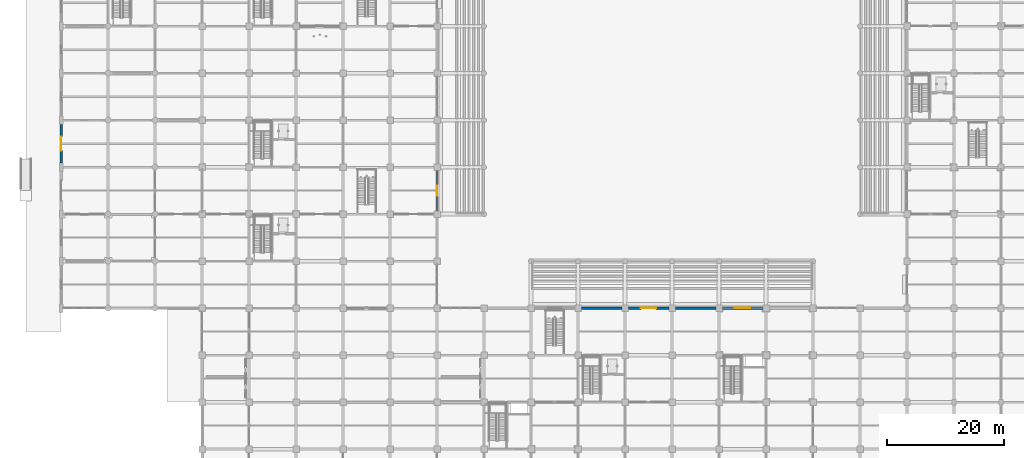
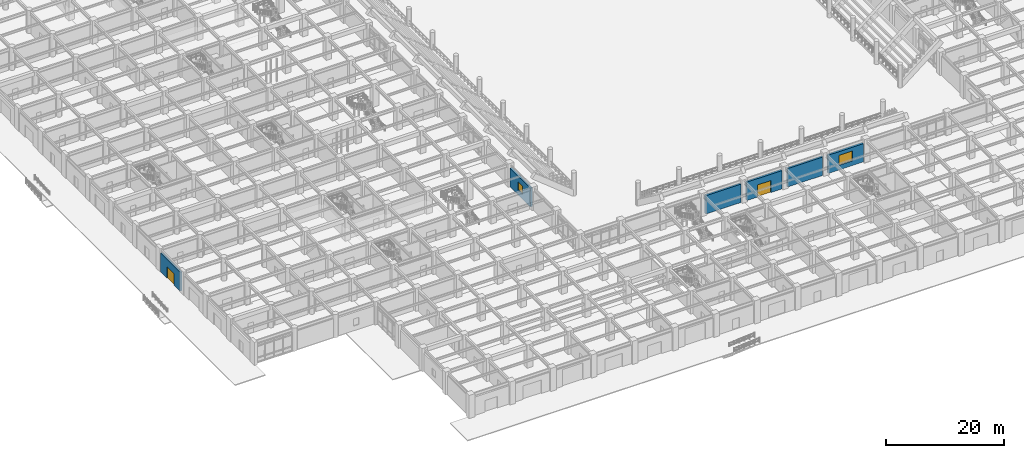
# One storey, part 77 of 125: 6 walls, 2 doors, 2 windows, 4 openings.
"""IFC4 building model written with IfcOpenShell, lengths in metres."""

import ifcopenshell
import ifcopenshell.guid

model = None  # the IFC model being written
_history = None  # IfcOwnerHistory: only IFC2X3 demands one
_inside = {}  # id of a spatial element -> (the spatial element, [elements in it])
_under = {}  # id of a project, library or spatial element -> (it, [spatial elements below it])
_declared = {}  # id of a project -> (the project, [libraries it declares])
_typed = {}  # id of a type object -> (the type object, [elements of that type])
_made_of = {}  # id of a material, layer set ... -> (it, [elements and type objects made of it])


def new_model(schema):
    """Start an empty IFC model of exactly this schema.

    Asked for "IFC4X3", IfcOpenShell would pick the latest addendum, in which some entities
    have other attributes; the version numbers below select the first issue.
    IFC2X3 requires an IfcOwnerHistory on every rooted entity: one is made here for all.
    """
    global model, _history
    if schema == "IFC4X3":
        model = ifcopenshell.file(schema_version=(4, 3, 0, 0))
    else:
        model = ifcopenshell.file(schema=schema)
    _inside.clear()
    _under.clear()
    _declared.clear()
    _typed.clear()
    _made_of.clear()
    _history = None
    if model.schema == "IFC2X3":
        org = make("IfcOrganization", Name="unknown")
        user = make(
            "IfcPersonAndOrganization",
            ThePerson=make("IfcPerson", FamilyName="unknown"),
            TheOrganization=org,
        )
        app = make(
            "IfcApplication",
            ApplicationDeveloper=org,
            Version="unknown",
            ApplicationFullName="unknown",
            ApplicationIdentifier="unknown",
        )
        _history = make(
            "IfcOwnerHistory",
            OwningUser=user,
            OwningApplication=app,
            ChangeAction="ADDED",
            CreationDate=0,
        )
    return model


def make(cls, **values):
    """One entity of the class cls with the attributes given. An attribute that is None is left unset."""
    return model.create_entity(
        cls, **{name: value for name, value in values.items() if value is not None}
    )


def rooted(cls, **values):
    """An entity with a GlobalId (a new one), such as an element, a storey or a relation."""
    return make(cls, GlobalId=ifcopenshell.guid.new(), OwnerHistory=_history, **values)


def si_unit(unit_type, name, prefix=None):
    """IfcSIUnit, for example si_unit("LENGTHUNIT", "METRE", prefix="MILLI")."""
    return make("IfcSIUnit", UnitType=unit_type, Prefix=prefix, Name=name)


def assignment(units):
    """IfcUnitAssignment: the units of a project."""
    return None if units is None else make("IfcUnitAssignment", Units=units)


def point(xyz):
    """IfcCartesianPoint."""
    return None if xyz is None else make("IfcCartesianPoint", Coordinates=xyz)


def direction(xyz):
    """IfcDirection."""
    return None if xyz is None else make("IfcDirection", DirectionRatios=xyz)


def frame(location, z_axis=None, x_axis=None):
    """IfcAxis2Placement3D, a coordinate frame: its origin and axes. An axis left out is left unset."""
    return make(
        "IfcAxis2Placement3D",
        Location=point(location),
        Axis=direction(z_axis),
        RefDirection=direction(x_axis),
    )


def frame_2d(location, x_axis=None):
    """IfcAxis2Placement2D, a coordinate frame in the plane: its origin and x axis."""
    return make(
        "IfcAxis2Placement2D", Location=point(location), RefDirection=direction(x_axis)
    )


def origin():
    """The frame at (0, 0, 0) with its axes left unset."""
    return frame((0.0, 0.0, 0.0))


def place(relative_to, where):
    """IfcLocalPlacement: puts the frame where relative to a parent placement (None: the world)."""
    return make(
        "IfcLocalPlacement", PlacementRelTo=relative_to, RelativePlacement=where
    )


def context(
    kind, dimensions, precision=None, world=None, true_north=None, identifier=None
):
    """IfcGeometricRepresentationContext, for example the 3D "Model" context."""
    return make(
        "IfcGeometricRepresentationContext",
        ContextIdentifier=identifier,
        ContextType=kind,
        CoordinateSpaceDimension=dimensions,
        Precision=precision,
        WorldCoordinateSystem=world,
        TrueNorth=true_north,
    )


def subcontext(parent, identifier, kind, view, scale=None):
    """IfcGeometricRepresentationSubContext, for example "Body" below "Model"."""
    return make(
        "IfcGeometricRepresentationSubContext",
        ContextIdentifier=identifier,
        ContextType=kind,
        ParentContext=parent,
        TargetScale=scale,
        TargetView=view,
    )


def project(units=None, contexts=None):
    """IfcProject with its units and contexts."""
    return rooted(
        "IfcProject",
        Name="project",
        RepresentationContexts=contexts,
        UnitsInContext=assignment(units),
    )


def spatial(cls, under=None, at=None, **own):
    """A site, building, storey or space (cls), placed at a placement, below another one or the project."""
    s = rooted(cls, ObjectPlacement=at, **own)
    if under is not None:
        _under.setdefault(under.id(), (under, []))[1].append(s)
    return s


def profile(cls, at=None, kind="AREA", **sizes):
    """A parametric profile (cls). Its sizes go by their IFC names, for example OverallWidth=200.0."""
    return make(cls, ProfileType=kind, Position=at, **sizes)


def rectangle(**sizes):
    """IfcRectangleProfileDef."""
    return profile("IfcRectangleProfileDef", **sizes)


def extrude(swept, where, along, depth):
    """IfcExtrudedAreaSolid: the profile swept, set in the frame where, extruded along a direction by depth."""
    return make(
        "IfcExtrudedAreaSolid",
        SweptArea=swept,
        Position=where,
        ExtrudedDirection=direction(along),
        Depth=depth,
    )


def shape(context_of_items, identifier, shape_type, items):
    """IfcShapeRepresentation: the items that make up one representation, for example the "Body"."""
    return make(
        "IfcShapeRepresentation",
        ContextOfItems=context_of_items,
        RepresentationIdentifier=identifier,
        RepresentationType=shape_type,
        Items=items,
    )


def material(Name=None, Category=None):
    """IfcMaterial."""
    return make("IfcMaterial", Name=Name, Category=Category)


def layer(
    of_material, thickness, ventilated=None, Name=None, Category=None, Priority=None
):
    """IfcMaterialLayer: one layer of a wall or slab, of a material (None: an air gap)."""
    return make(
        "IfcMaterialLayer",
        Material=of_material,
        LayerThickness=thickness,
        IsVentilated=ventilated,
        Name=Name,
        Category=Category,
        Priority=Priority,
    )


def layer_set(layers, Name=None):
    """IfcMaterialLayerSet."""
    return make("IfcMaterialLayerSet", MaterialLayers=layers, LayerSetName=Name)


def made_of(thing, what):
    """Note that an element or type object is made of a material, layer set ...; save() writes the relation."""
    if what is not None:
        _made_of.setdefault(what.id(), (what, []))[1].append(thing)
    return thing


def type_object(cls, material=None, **own):
    """A type object (cls), such as IfcWallType, which elements share."""
    return made_of(rooted(cls, **own), material)


def element(
    cls,
    number,
    at=None,
    inside=None,
    cuts=None,
    type_object=None,
    material=None,
    context=None,
    identifier="Body",
    shape_type=None,
    held_by="IfcProductDefinitionShape",
    body=None,
    shapes=None,
    **own,
):
    """One element of the class cls, such as IfcWall. Its Tag is "e" and its number.

    at: its placement. inside: the storey or other place that contains it. cuts: it is an
    opening in that element (IfcRelVoidsElement). A single representation is given by context,
    identifier, shape_type and body (its items); several are given by shapes. held_by: the class
    of the entity that holds the representations. save() writes the other relations.
    """
    e = rooted(cls, Tag="e%d" % number, ObjectPlacement=at, **own)
    if body is not None:
        shapes = [shape(context, identifier, shape_type, body)]
    if shapes is not None:
        e.Representation = make(held_by, Representations=shapes)
    if inside is not None:
        _inside.setdefault(inside.id(), (inside, []))[1].append(e)
    if cuts is not None:
        rooted(
            "IfcRelVoidsElement", RelatingBuildingElement=cuts, RelatedOpeningElement=e
        )
    if type_object is not None:
        _typed.setdefault(type_object.id(), (type_object, []))[1].append(e)
    return made_of(e, material)


def fill(opening, filler):
    """IfcRelFillsElement: the door or window that sits in an opening."""
    return rooted(
        "IfcRelFillsElement",
        RelatingOpeningElement=opening,
        RelatedBuildingElement=filler,
    )


def aggregate(whole, parts):
    """IfcRelAggregates: a whole, such as a stair, and the parts it consists of."""
    return rooted("IfcRelAggregates", RelatingObject=whole, RelatedObjects=parts)


def save(model, path):
    """Write the relations noted so far, then the file.

    IfcRelAggregates (storeys below a building ...), IfcRelContainedInSpatialStructure (elements
    in a storey), IfcRelDefinesByType, IfcRelAssociatesMaterial and IfcRelDeclares: one each for
    every whole, place, type object, material and project.
    """
    for whole, parts in _under.values():
        aggregate(whole, parts)
    for where, things in _inside.values():
        rooted(
            "IfcRelContainedInSpatialStructure",
            RelatedElements=things,
            RelatingStructure=where,
        )
    for kind, things in _typed.values():
        rooted("IfcRelDefinesByType", RelatedObjects=things, RelatingType=kind)
    for what, things in _made_of.values():
        rooted("IfcRelAssociatesMaterial", RelatedObjects=things, RelatingMaterial=what)
    for by, libraries in _declared.values():
        rooted("IfcRelDeclares", RelatingContext=by, RelatedDefinitions=libraries)
    model.write(path)


model = new_model("IFC4")

# Units and contexts
model_context = context("Model", 3, precision=1e-05, world=origin(), true_north=direction((0.0, 1.0)))
body_context = subcontext(model_context, "Body", "Model", "MODEL_VIEW")
ifc_project = project(units=[si_unit("LENGTHUNIT", "METRE"), si_unit("AREAUNIT", "SQUARE_METRE"), si_unit("VOLUMEUNIT", "CUBIC_METRE"), si_unit("PLANEANGLEUNIT", "RADIAN"), si_unit("MASSUNIT", "GRAM", prefix="KILO")], contexts=[model_context])

# Site, building, storey
site_placement = place(None, origin())
site = spatial("IfcSite", under=ifc_project, at=site_placement, CompositionType="ELEMENT")
building_placement = place(site_placement, origin())
building = spatial("IfcBuilding", under=site, at=building_placement, Name="Haebicheon Civic Stadium", CompositionType="ELEMENT")
storey_placement = place(building_placement, origin())
storey = spatial("IfcBuildingStorey", under=building, at=storey_placement, Name="L01", CompositionType="ELEMENT", Elevation=0.0)

# Wall, opening, door
ifc_material_1 = material(Name="Concrete C40/50", Category="concrete")
ifc_layer = layer(ifc_material_1, 0.39990234375, Name="Concrete C40/50")
ifc_layer_set = layer_set([ifc_layer], Name="Concrete C40/50")
wall_type = type_object("IfcWallType", Name="EW-BM-400", PredefinedType="SOLIDWALL", material=ifc_layer_set)
wall_1_placement = place(storey_placement, frame((0.0, 56.699951171875, 0.0), z_axis=(0.0, 0.0, 1.0), x_axis=(0.0, 1.0, 0.0)))
wall_1 = element("IfcWall", 1, at=wall_1_placement, inside=storey, type_object=wall_type, material=ifc_layer_set, Name="L01 board-marked concrete facade wall 00-07-W", PredefinedType="SOLIDWALL", context=body_context, shape_type="SweptSolid", body=[
    extrude(rectangle(XDim=6.60009765625, YDim=0.39990234375, at=frame_2d((3.300048828125, 0.0))), origin(), (0.0, 0.0, 1.0), 3.909912109375),
])
opening_1_placement = place(wall_1_placement, frame((2.10009765625, 0.0, 0.0)))
opening_1 = element("IfcOpeningElement", 2, at=opening_1_placement, cuts=wall_1, Name="Opening G02", PredefinedType="OPENING", context=body_context, shape_type="SweptSolid", body=[
    extrude(rectangle(XDim=2.39990234375, YDim=2.39990234375, at=frame_2d((1.199951171875, 1.199951171875))), frame((0.0, 0.2099609375, 0.0), z_axis=(0.0, -1.0, 0.0), x_axis=(1.0, 0.0, 0.0)), (0.0, 0.0, 1.0), 0.419921875),
])
ifc_material_2 = material(Name="Anodised aluminium 6063-T6", Category="aluminium")
door_type_1 = type_object("IfcDoorType", Name="ED-GATE-2400", OperationType="NOTDEFINED", PredefinedType="DOOR", material=ifc_material_2)
door_1_placement = place(opening_1_placement, origin())
door_1 = element("IfcDoor", 3, at=door_1_placement, inside=storey, type_object=door_type_1, material=ifc_material_2, Name="Pedestrian exit gate G2", OperationType="DOUBLE_SWING_LEFT", OverallHeight=2.39990234375, OverallWidth=2.39990234375, PredefinedType="DOOR", context=body_context, shape_type="SweptSolid", body=[
    extrude(rectangle(XDim=2.39990234375, YDim=2.39990234375, at=frame_2d((1.199951171875, 1.199951171875))), frame((0.0, 0.02490234375, 0.0), z_axis=(0.0, -1.0, 0.0), x_axis=(1.0, 0.0, 0.0)), (0.0, 0.0, 1.0), 0.050048828125),
])
fill(opening_1, door_1)

# Wall, opening, window
wall_2_placement = place(storey_placement, frame((64.0, 48.550048828125, 0.0), z_axis=(0.0, 0.0, 1.0), x_axis=(0.0, 1.0, 0.0)))
wall_2 = element("IfcWall", 4, at=wall_2_placement, inside=storey, type_object=wall_type, material=ifc_layer_set, Name="L01 board-marked concrete facade wall 08-06-E", PredefinedType="SOLIDWALL", context=body_context, shape_type="SweptSolid", body=[
    extrude(rectangle(XDim=6.89990234375, YDim=0.39990234375, at=frame_2d((3.449951171875, 0.0))), origin(), (0.0, 0.0, 1.0), 3.8701171875),
])
opening_2_placement = place(wall_2_placement, frame((2.625, 0.0, 0.949951171875)))
opening_2 = element("IfcOpeningElement", 5, at=opening_2_placement, cuts=wall_2, Name="Opening WIN-165x170", PredefinedType="OPENING", context=body_context, shape_type="SweptSolid", body=[
    extrude(rectangle(XDim=1.64990234375, YDim=1.699951171875, at=frame_2d((0.824951171875, 0.85009765625))), frame((0.0, 0.2099609375, 0.0), z_axis=(0.0, -1.0, 0.0), x_axis=(1.0, 0.0, 0.0)), (0.0, 0.0, 1.0), 0.419921875),
])
ifc_material_3 = material(Name="Anodised aluminium and laminated glass", Category="aluminium")
window_type_1 = type_object("IfcWindowType", Name="WIN-165x170", PartitioningType="SINGLE_PANEL", PredefinedType="WINDOW", material=ifc_material_3)
window_1_placement = place(opening_2_placement, origin())
window_1 = element("IfcWindow", 6, at=window_1_placement, inside=storey, type_object=window_type_1, material=ifc_material_3, Name="L01 facade window 006", OverallHeight=1.699951171875, OverallWidth=1.64990234375, PartitioningType="SINGLE_PANEL", PredefinedType="WINDOW", context=body_context, shape_type="SweptSolid", body=[
    extrude(rectangle(XDim=1.64990234375, YDim=1.699951171875, at=frame_2d((0.824951171875, 0.85009765625))), frame((0.0, 0.030029296875, 0.0), z_axis=(0.0, -1.0, 0.0), x_axis=(1.0, 0.0, 0.0)), (0.0, 0.0, 1.0), 0.06005859375),
])
fill(opening_2, window_1)

# Wall
wall_3_placement = place(storey_placement, frame((88.550048828125, 32.0, 0.0), z_axis=(0.0, 0.0, 1.0), x_axis=(1.0, 0.0, 0.0)))
element("IfcWall", 7, at=wall_3_placement, inside=storey, type_object=wall_type, material=ifc_layer_set, Name="L01 board-marked concrete facade wall 11-04-N", PredefinedType="SOLIDWALL", context=body_context, shape_type="SweptSolid", body=[
    extrude(rectangle(XDim=6.89990234375, YDim=0.39990234375, at=frame_2d((3.449951171875, 0.0))), origin(), (0.0, 0.0, 1.0), 3.81005859375),
])

# Wall, opening, door
wall_4_placement = place(storey_placement, frame((96.550048828125, 32.0, 0.0), z_axis=(0.0, 0.0, 1.0), x_axis=(1.0, 0.0, 0.0)))
wall_4 = element("IfcWall", 8, at=wall_4_placement, inside=storey, type_object=wall_type, material=ifc_layer_set, Name="L01 board-marked concrete facade wall 12-04-N", PredefinedType="SOLIDWALL", context=body_context, shape_type="SweptSolid", body=[
    extrude(rectangle(XDim=6.89990234375, YDim=0.39990234375, at=frame_2d((3.449951171875, 0.0))), origin(), (0.0, 0.0, 1.0), 3.81005859375),
])
opening_3_placement = place(wall_4_placement, frame((2.14990234375, 0.0, 0.0)))
opening_3 = element("IfcOpeningElement", 9, at=opening_3_placement, cuts=wall_4, Name="Opening G07", PredefinedType="OPENING", context=body_context, shape_type="SweptSolid", body=[
    extrude(rectangle(XDim=2.60009765625, YDim=2.5, at=frame_2d((1.300048828125, 1.25))), frame((0.0, 0.2099609375, 0.0), z_axis=(0.0, -1.0, 0.0), x_axis=(1.0, 0.0, 0.0)), (0.0, 0.0, 1.0), 0.419921875),
])
ifc_material_4 = material(Name="Anodised aluminium 6063-T6", Category="aluminium")
door_type_2 = type_object("IfcDoorType", Name="ED-GATE-2600", OperationType="NOTDEFINED", PredefinedType="DOOR", material=ifc_material_4)
door_2_placement = place(opening_3_placement, origin())
door_2 = element("IfcDoor", 10, at=door_2_placement, inside=storey, type_object=door_type_2, material=ifc_material_4, Name="Pedestrian exit gate G7", OperationType="DOUBLE_SWING_LEFT", OverallHeight=2.5, OverallWidth=2.60009765625, PredefinedType="DOOR", context=body_context, shape_type="SweptSolid", body=[
    extrude(rectangle(XDim=2.60009765625, YDim=2.5, at=frame_2d((1.300048828125, 1.25))), frame((0.0, 0.02490234375, 0.0), z_axis=(0.0, -1.0, 0.0), x_axis=(1.0, 0.0, 0.0)), (0.0, 0.0, 1.0), 0.050048828125),
])
fill(opening_3, door_2)

# Wall
wall_5_placement = place(storey_placement, frame((104.550048828125, 32.0, 0.0), z_axis=(0.0, 0.0, 1.0), x_axis=(1.0, 0.0, 0.0)))
element("IfcWall", 11, at=wall_5_placement, inside=storey, type_object=wall_type, material=ifc_layer_set, Name="L01 board-marked concrete facade wall 13-04-N", PredefinedType="SOLIDWALL", context=body_context, shape_type="SweptSolid", body=[
    extrude(rectangle(XDim=6.89990234375, YDim=0.39990234375, at=frame_2d((3.449951171875, 0.0))), origin(), (0.0, 0.0, 1.0), 3.81005859375),
])

# Wall, opening, window
wall_6_placement = place(storey_placement, frame((112.550048828125, 32.0, 0.0), z_axis=(0.0, 0.0, 1.0), x_axis=(1.0, 0.0, 0.0)))
wall_6 = element("IfcWall", 12, at=wall_6_placement, inside=storey, type_object=wall_type, material=ifc_layer_set, Name="L01 board-marked concrete facade wall 14-04-N", PredefinedType="SOLIDWALL", context=body_context, shape_type="SweptSolid", body=[
    extrude(rectangle(XDim=6.89990234375, YDim=0.39990234375, at=frame_2d((3.449951171875, 0.0))), origin(), (0.0, 0.0, 1.0), 3.81005859375),
])
opening_4_placement = place(wall_6_placement, frame((2.10009765625, 0.0, 0.949951171875)))
opening_4 = element("IfcOpeningElement", 13, at=opening_4_placement, cuts=wall_6, Name="Opening WIN-270x210", PredefinedType="OPENING", context=body_context, shape_type="SweptSolid", body=[
    extrude(rectangle(XDim=2.699951171875, YDim=2.10009765625, at=frame_2d((1.35009765625, 1.050048828125))), frame((0.0, 0.2099609375, 0.0), z_axis=(0.0, -1.0, 0.0), x_axis=(1.0, 0.0, 0.0)), (0.0, 0.0, 1.0), 0.419921875),
])
ifc_material_5 = material(Name="Anodised aluminium and laminated glass", Category="aluminium")
window_type_2 = type_object("IfcWindowType", Name="WIN-270x210", PartitioningType="SINGLE_PANEL", PredefinedType="WINDOW", material=ifc_material_5)
window_2_placement = place(opening_4_placement, origin())
window_2 = element("IfcWindow", 14, at=window_2_placement, inside=storey, type_object=window_type_2, material=ifc_material_5, Name="L01 facade window 013", OverallHeight=2.10009765625, OverallWidth=2.699951171875, PartitioningType="SINGLE_PANEL", PredefinedType="WINDOW", context=body_context, shape_type="SweptSolid", body=[
    extrude(rectangle(XDim=2.699951171875, YDim=2.10009765625, at=frame_2d((1.35009765625, 1.050048828125))), frame((0.0, 0.030029296875, 0.0), z_axis=(0.0, -1.0, 0.0), x_axis=(1.0, 0.0, 0.0)), (0.0, 0.0, 1.0), 0.06005859375),
])
fill(opening_4, window_2)

save(model, "model.ifc")
